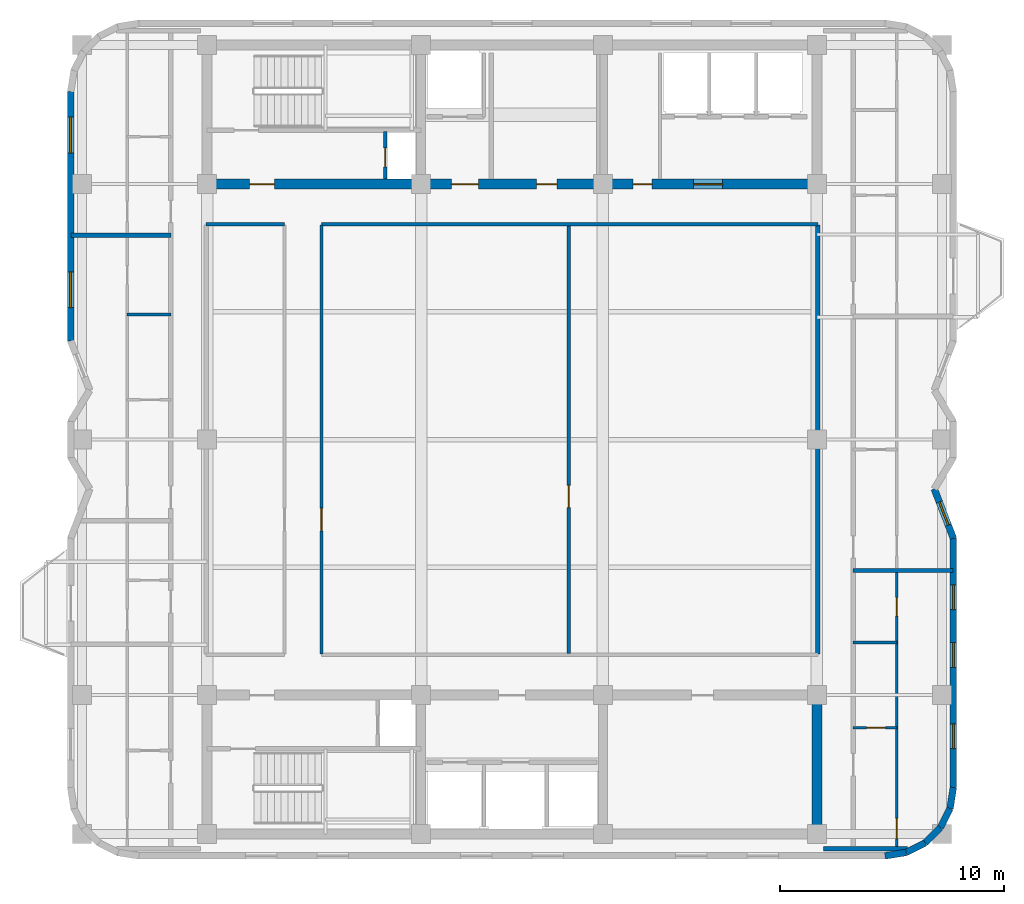
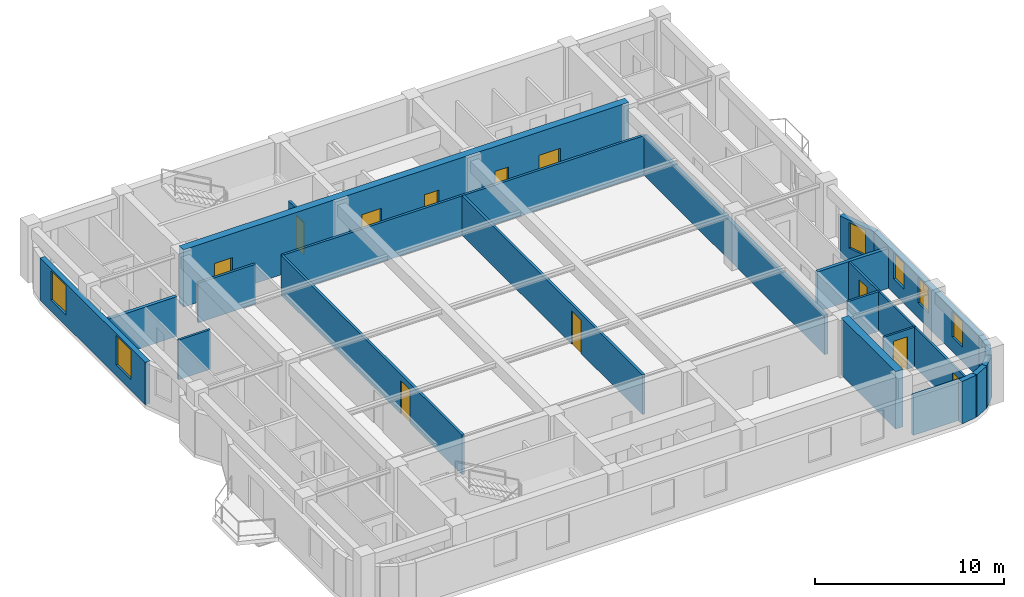
# One storey, part 4 of 8: 23 walls, 11 doors, 6 windows, 17 openings.
"""IFC4 building model written with IfcOpenShell, lengths in metres."""

from ifc_helpers import new_model, si_unit, direction, frame, frame_2d, origin, place, context, subcontext, project, spatial, rectangle, extrude, material, layer, layer_set, type_object, element, fill, save


model = new_model("IFC4")

# Units and contexts
model_context = context("Model", 3, precision=1e-05, world=origin(), true_north=direction((0.0, 1.0)))
body_context = subcontext(model_context, "Body", "Model", "MODEL_VIEW")
ifc_project = project(units=[si_unit("LENGTHUNIT", "METRE"), si_unit("AREAUNIT", "SQUARE_METRE"), si_unit("VOLUMEUNIT", "CUBIC_METRE"), si_unit("PLANEANGLEUNIT", "RADIAN"), si_unit("MASSUNIT", "GRAM", prefix="KILO")], contexts=[model_context])

# Site, building, storey
site_placement = place(None, origin())
site = spatial("IfcSite", under=ifc_project, at=site_placement, CompositionType="ELEMENT")
building_placement = place(site_placement, origin())
building = spatial("IfcBuilding", under=site, at=building_placement, Name="Svetorya Sky Lyceum", CompositionType="ELEMENT")
storey_placement = place(building_placement, frame((0.0, 0.0, 229.5)))
storey = spatial("IfcBuildingStorey", under=building, at=storey_placement, Name="L57", CompositionType="ELEMENT", Elevation=229.5)

# Wall
ifc_material_1 = material(Name="Concrete C50/60", Category="concrete")
ifc_layer_1 = layer(ifc_material_1, 0.449951171875)
ifc_layer_set_1 = layer_set([ifc_layer_1], Name="Concrete C50/60")
wall_type_1 = type_object("IfcWallType", Name="WL-CORE-450", PredefinedType="SHEAR", material=ifc_layer_set_1)
wall_1_placement = place(storey_placement, frame((52.800048828125, 10.824951171875, 0.0), z_axis=(0.0, 0.0, 1.0), x_axis=(0.0, 1.0, 0.0)))
element("IfcWall", 1, at=wall_1_placement, inside=storey, type_object=wall_type_1, Name="L57 SC East Core Shear Wall", PredefinedType="SHEAR", context=body_context, shape_type="SweptSolid", body=[
    extrude(rectangle(XDim=5.75, YDim=0.449951171875, at=frame_2d((2.875, 0.0))), origin(), (0.0, 0.0, 1.0), 3.699951171875),
])

# Wall, openings, doors
wall_2_placement = place(storey_placement, frame((52.800048828125, 39.60009765625, 0.0), z_axis=(0.0, 0.0, 1.0), x_axis=(-1.0, 0.0, 0.0)))
wall_2 = element("IfcWall", 2, at=wall_2_placement, inside=storey, type_object=wall_type_1, Name="L57 NC Inner Core Shear Wall", PredefinedType="SHEAR", context=body_context, shape_type="SweptSolid", body=[
    extrude(rectangle(XDim=27.199951171875, YDim=0.449951171875, at=frame_2d((13.60009765625, 0.0))), origin(), (0.0, 0.0, 1.0), 3.699951171875),
])
opening_1_placement = place(wall_2_placement, frame((24.199951171875, 0.0, 0.0)))
opening_1 = element("IfcOpeningElement", 3, at=opening_1_placement, cuts=wall_2, Name="Opening D-ST1", PredefinedType="OPENING", context=body_context, shape_type="SweptSolid", body=[
    extrude(rectangle(XDim=1.10009765625, YDim=2.14990234375, at=frame_2d((0.550048828125, 1.074951171875))), frame((0.0, 0.23486328125, 0.0), z_axis=(0.0, -1.0, 0.0), x_axis=(1.0, 0.0, 0.0)), (0.0, 0.0, 1.0), 0.469970703125),
])
opening_2_placement = place(wall_2_placement, frame((15.10009765625, 0.0, 0.0)))
opening_2 = element("IfcOpeningElement", 4, at=opening_2_placement, cuts=wall_2, Name="Opening D-FL1", PredefinedType="OPENING", context=body_context, shape_type="SweptSolid", body=[
    extrude(rectangle(XDim=1.199951171875, YDim=2.14990234375, at=frame_2d((0.60009765625, 1.074951171875))), frame((0.0, 0.23486328125, 0.0), z_axis=(0.0, -1.0, 0.0), x_axis=(1.0, 0.0, 0.0)), (0.0, 0.0, 1.0), 0.469970703125),
])
opening_3_placement = place(wall_2_placement, frame((11.60009765625, 0.0, 0.0)))
opening_3 = element("IfcOpeningElement", 5, at=opening_3_placement, cuts=wall_2, Name="Opening D-RM1", PredefinedType="OPENING", context=body_context, shape_type="SweptSolid", body=[
    extrude(rectangle(XDim=0.89990234375, YDim=2.10009765625, at=frame_2d((0.449951171875, 1.050048828125))), frame((0.0, 0.23486328125, 0.0), z_axis=(0.0, -1.0, 0.0), x_axis=(1.0, 0.0, 0.0)), (0.0, 0.0, 1.0), 0.469970703125),
])
opening_4_placement = place(wall_2_placement, frame((7.35009765625, 0.0, 0.0)))
opening_4 = element("IfcOpeningElement", 6, at=opening_4_placement, cuts=wall_2, Name="Opening D-CWC1", PredefinedType="OPENING", context=body_context, shape_type="SweptSolid", body=[
    extrude(rectangle(XDim=0.85009765625, YDim=2.10009765625, at=frame_2d((0.425048828125, 1.050048828125))), frame((0.0, 0.23486328125, 0.0), z_axis=(0.0, -1.0, 0.0), x_axis=(1.0, 0.0, 0.0)), (0.0, 0.0, 1.0), 0.469970703125),
])
opening_5_placement = place(wall_2_placement, frame((4.199951171875, 0.0, 0.0)))
opening_5 = element("IfcOpeningElement", 7, at=opening_5_placement, cuts=wall_2, Name="Opening D-LB1", PredefinedType="OPENING", context=body_context, shape_type="SweptSolid", body=[
    extrude(rectangle(XDim=1.300048828125, YDim=2.199951171875, at=frame_2d((0.64990234375, 1.10009765625))), frame((0.0, 0.23486328125, 0.0), z_axis=(0.0, -1.0, 0.0), x_axis=(1.0, 0.0, 0.0)), (0.0, 0.0, 1.0), 0.469970703125),
])
ifc_material_2 = material(Name="Fire-rated galvanized steel core service closet door", Category="steel")
door_type_1 = type_object("IfcDoorType", Name="DR-CWET-850", OperationType="SINGLE_SWING_LEFT", PredefinedType="DOOR", material=ifc_material_2)
door_1_placement = place(opening_4_placement, origin())
door_1 = element("IfcDoor", 8, at=door_1_placement, inside=storey, type_object=door_type_1, Name="L57 High-Zone Utility Room Door", OperationType="SINGLE_SWING_LEFT", OverallHeight=2.10009765625, OverallWidth=0.85009765625, PredefinedType="DOOR", context=body_context, shape_type="SweptSolid", body=[
    extrude(rectangle(XDim=0.85009765625, YDim=2.10009765625, at=frame_2d((0.425048828125, 1.050048828125))), frame((0.0, 0.02490234375, 0.0), z_axis=(0.0, -1.0, 0.0), x_axis=(1.0, 0.0, 0.0)), (0.0, 0.0, 1.0), 0.050048828125),
])
fill(opening_4, door_1)
ifc_material_3 = material(Name="Powder-coated insulated galvanized stair fire door")
door_type_2 = type_object("IfcDoorType", Name="DR-FIRE-1100", OperationType="SINGLE_SWING_LEFT", PredefinedType="DOOR", material=ifc_material_3)
door_2_placement = place(opening_1_placement, origin())
door_2 = element("IfcDoor", 9, at=door_2_placement, inside=storey, type_object=door_type_2, Name="L57 North Stair Airlock Door", OperationType="SINGLE_SWING_LEFT", OverallHeight=2.14990234375, OverallWidth=1.10009765625, PredefinedType="DOOR", context=body_context, shape_type="SweptSolid", body=[
    extrude(rectangle(XDim=1.10009765625, YDim=2.14990234375, at=frame_2d((0.550048828125, 1.074951171875))), frame((0.0, 0.02490234375, 0.0), z_axis=(0.0, -1.0, 0.0), x_axis=(1.0, 0.0, 0.0)), (0.0, 0.0, 1.0), 0.050048828125),
])
fill(opening_1, door_2)
ifc_material_4 = material(Name="Powder-coated insulated galvanized fire door")
door_type_3 = type_object("IfcDoorType", Name="DR-FIRE-1200", OperationType="SINGLE_SWING_LEFT", PredefinedType="DOOR", material=ifc_material_4)
door_3_placement = place(opening_2_placement, origin())
door_3 = element("IfcDoor", 10, at=door_3_placement, inside=storey, type_object=door_type_3, Name="L57 North Firefighting Lift Lobby Door", OperationType="SINGLE_SWING_RIGHT", OverallHeight=2.14990234375, OverallWidth=1.199951171875, PredefinedType="DOOR", context=body_context, shape_type="SweptSolid", body=[
    extrude(rectangle(XDim=1.199951171875, YDim=2.14990234375, at=frame_2d((0.60009765625, 1.074951171875))), frame((0.0, 0.02490234375, 0.0), z_axis=(0.0, -1.0, 0.0), x_axis=(1.0, 0.0, 0.0)), (0.0, 0.0, 1.0), 0.050048828125),
])
fill(opening_2, door_3)
ifc_material_5 = material(Name="Lacquered birch veneer internal door")
door_type_4 = type_object("IfcDoorType", Name="DR-INT-900", OperationType="SINGLE_SWING_LEFT", PredefinedType="DOOR", material=ifc_material_5)
door_4_placement = place(opening_3_placement, origin())
door_4 = element("IfcDoor", 11, at=door_4_placement, inside=storey, type_object=door_type_4, Name="L57 Upper Archive Door", OperationType="SINGLE_SWING_LEFT", OverallHeight=2.10009765625, OverallWidth=0.89990234375, PredefinedType="DOOR", context=body_context, shape_type="SweptSolid", body=[
    extrude(rectangle(XDim=0.89990234375, YDim=2.10009765625, at=frame_2d((0.449951171875, 1.050048828125))), frame((0.0, 0.02490234375, 0.0), z_axis=(0.0, -1.0, 0.0), x_axis=(1.0, 0.0, 0.0)), (0.0, 0.0, 1.0), 0.050048828125),
])
fill(opening_3, door_4)
ifc_material_6 = material(Name="Glazed fire-rated aluminium lobby door", Category="aluminium")
door_type_5 = type_object("IfcDoorType", Name="DR-LOB-1300", OperationType="SINGLE_SWING_LEFT", PredefinedType="DOOR", material=ifc_material_6)
door_5_placement = place(opening_5_placement, origin())
door_5 = element("IfcDoor", 12, at=door_5_placement, inside=storey, type_object=door_type_5, Name="L57 North Passenger Lift Lobby Door", OperationType="SINGLE_SWING_LEFT", OverallHeight=2.199951171875, OverallWidth=1.300048828125, PredefinedType="DOOR", context=body_context, shape_type="SweptSolid", body=[
    extrude(rectangle(XDim=1.300048828125, YDim=2.199951171875, at=frame_2d((0.64990234375, 1.10009765625))), frame((0.0, 0.02490234375, 0.0), z_axis=(0.0, -1.0, 0.0), x_axis=(1.0, 0.0, 0.0)), (0.0, 0.0, 1.0), 0.050048828125),
])
fill(opening_5, door_5)

# Walls
ifc_material_7 = material(Name="Putilovo limestone rainscreen on autoclaved cellular masonry", Category="masonry")
ifc_layer_2 = layer(ifc_material_7, 0.300048828125)
ifc_layer_set_2 = layer_set([ifc_layer_2], Name="Putilovo limestone rainscreen on autoclaved cellular masonry")
wall_type_2 = type_object("IfcWallType", Name="WL-EXT-300", PredefinedType="SOLIDWALL", material=ifc_layer_set_2)
wall_3_placement = place(storey_placement, frame((55.840087890625, 9.6298828125, 0.0), z_axis=(0.0, 0.0, 1.0), x_axis=(0.987663181641, 0.156593229835, 0.0)))
element("IfcWall", 13, at=wall_3_placement, inside=storey, type_object=wall_type_2, Name="L57 Limestone Exterior Wall 7M", PredefinedType="SOLIDWALL", context=body_context, shape_type="SweptSolid", body=[
    extrude(rectangle(XDim=0.9541015625, YDim=0.300048828125, at=frame_2d((0.47705078125, 0.0))), origin(), (0.0, 0.0, 1.0), 2.72998046875),
])
for number, where, z_axis, x_axis, name in (
    (14, (56.782470703125, 9.779296875, 0.0), (0.0, 0.0, 1.0), (0.891076589373, 0.453852962833, 0.0), "L57 Limestone Exterior Wall 8M"),
    (15, (57.6328125, 10.21240234375, 0.0), (0.0, 0.0, 1.0), (0.707106781187, 0.707106781187, 0.0), "L57 Limestone Exterior Wall 9M"),
    (16, (58.3076171875, 10.88720703125, 0.0), (0.0, 0.0, 1.0), (0.453852962833, 0.891076589373, 0.0), "L57 Limestone Exterior Wall 10M"),
):
    element("IfcWall", number, at=place(storey_placement, frame(where, z_axis=z_axis, x_axis=x_axis)), inside=storey, type_object=wall_type_2, Name=name, PredefinedType="SOLIDWALL", context=body_context, shape_type="SweptSolid", body=[
        extrude(rectangle(XDim=0.954345703125, YDim=0.300048828125, at=frame_2d((0.47705078125, 0.0))), origin(), (0.0, 0.0, 1.0), 2.72998046875),
    ])
wall_4_placement = place(storey_placement, frame((58.74072265625, 11.737548828125, 0.0), z_axis=(0.0, 0.0, 1.0), x_axis=(0.156343617883, 0.987702725088, 0.0)))
element("IfcWall", 17, at=wall_4_placement, inside=storey, type_object=wall_type_2, Name="L57 Limestone Exterior Wall 11M", PredefinedType="SOLIDWALL", context=body_context, shape_type="SweptSolid", body=[
    extrude(rectangle(XDim=0.9541015625, YDim=0.300048828125, at=frame_2d((0.47705078125, 0.0))), origin(), (0.0, 0.0, 1.0), 2.72998046875),
])

# Wall, openings, windows
wall_5_placement = place(storey_placement, frame((58.889892578125, 12.679931640625, 0.0), z_axis=(0.0, 0.0, 1.0), x_axis=(0.0, 1.0, 0.0)))
wall_5 = element("IfcWall", 18, at=wall_5_placement, inside=storey, type_object=wall_type_2, Name="L57 Limestone Exterior Wall 12M", PredefinedType="SOLIDWALL", context=body_context, shape_type="SweptSolid", body=[
    extrude(rectangle(XDim=11.1201171875, YDim=0.300048828125, at=frame_2d((5.56005859375, 0.0))), origin(), (0.0, 0.0, 1.0), 2.72998046875),
])
opening_6_placement = place(wall_5_placement, frame((1.73681640625, 0.0, 0.949951171875)))
opening_6 = element("IfcOpeningElement", 19, at=opening_6_placement, cuts=wall_5, Name="Opening W-R3", PredefinedType="OPENING", context=body_context, shape_type="SweptSolid", body=[
    extrude(rectangle(XDim=1.10009765625, YDim=1.64990234375, at=frame_2d((0.550048828125, 0.824951171875))), frame((0.0, 0.159912109375, 0.0), z_axis=(0.0, -1.0, 0.0), x_axis=(1.0, 0.0, 0.0)), (0.0, 0.0, 1.0), 0.320068359375),
])
opening_7_placement = place(wall_5_placement, frame((5.360107421875, 0.0, 0.949951171875)))
opening_7 = element("IfcOpeningElement", 20, at=opening_7_placement, cuts=wall_5, Name="Opening W-R3", PredefinedType="OPENING", context=body_context, shape_type="SweptSolid", body=[
    extrude(rectangle(XDim=1.10009765625, YDim=1.64990234375, at=frame_2d((0.550048828125, 0.824951171875))), frame((0.0, 0.159912109375, 0.0), z_axis=(0.0, -1.0, 0.0), x_axis=(1.0, 0.0, 0.0)), (0.0, 0.0, 1.0), 0.320068359375),
])
opening_8_placement = place(wall_5_placement, frame((7.933349609375, 0.0, 0.949951171875)))
opening_8 = element("IfcOpeningElement", 21, at=opening_8_placement, cuts=wall_5, Name="Opening W-R3", PredefinedType="OPENING", context=body_context, shape_type="SweptSolid", body=[
    extrude(rectangle(XDim=1.10009765625, YDim=1.64990234375, at=frame_2d((0.550048828125, 0.824951171875))), frame((0.0, 0.159912109375, 0.0), z_axis=(0.0, -1.0, 0.0), x_axis=(1.0, 0.0, 0.0)), (0.0, 0.0, 1.0), 0.320068359375),
])
ifc_material_8 = material(Name="Thermally broken aluminium frame with triple low-E glazing", Category="aluminium")
window_type_1 = type_object("IfcWindowType", Name="WN-RES-110", PartitioningType="SINGLE_PANEL", PredefinedType="WINDOW", material=ifc_material_8)
window_1_placement = place(opening_6_placement, origin())
window_1 = element("IfcWindow", 22, at=window_1_placement, inside=storey, type_object=window_type_1, Name="L57 Facade Window W-R3.12M.1", OverallHeight=1.64990234375, OverallWidth=1.10009765625, PartitioningType="SINGLE_PANEL", PredefinedType="WINDOW", context=body_context, shape_type="SweptSolid", body=[
    extrude(rectangle(XDim=1.10009765625, YDim=1.64990234375, at=frame_2d((0.550048828125, 0.824951171875))), frame((0.0, 0.030029296875, 0.0), z_axis=(0.0, -1.0, 0.0), x_axis=(1.0, 0.0, 0.0)), (0.0, 0.0, 1.0), 0.06005859375),
])
fill(opening_6, window_1)
window_2_placement = place(opening_7_placement, origin())
window_2 = element("IfcWindow", 23, at=window_2_placement, inside=storey, type_object=window_type_1, Name="L57 Facade Window W-R3.12M.2", OverallHeight=1.64990234375, OverallWidth=1.10009765625, PartitioningType="SINGLE_PANEL", PredefinedType="WINDOW", context=body_context, shape_type="SweptSolid", body=[
    extrude(rectangle(XDim=1.10009765625, YDim=1.64990234375, at=frame_2d((0.550048828125, 0.824951171875))), frame((0.0, 0.030029296875, 0.0), z_axis=(0.0, -1.0, 0.0), x_axis=(1.0, 0.0, 0.0)), (0.0, 0.0, 1.0), 0.06005859375),
])
fill(opening_7, window_2)
window_3_placement = place(opening_8_placement, origin())
window_3 = element("IfcWindow", 24, at=window_3_placement, inside=storey, type_object=window_type_1, Name="L57 Facade Window W-R3.12M.3", OverallHeight=1.64990234375, OverallWidth=1.10009765625, PartitioningType="SINGLE_PANEL", PredefinedType="WINDOW", context=body_context, shape_type="SweptSolid", body=[
    extrude(rectangle(XDim=1.10009765625, YDim=1.64990234375, at=frame_2d((0.550048828125, 0.824951171875))), frame((0.0, 0.030029296875, 0.0), z_axis=(0.0, -1.0, 0.0), x_axis=(1.0, 0.0, 0.0)), (0.0, 0.0, 1.0), 0.06005859375),
])
fill(opening_8, window_3)

# Wall, opening, window
wall_6_placement = place(storey_placement, frame((58.889892578125, 23.800048828125, 0.0), z_axis=(0.0, 0.0, 1.0), x_axis=(-0.360352194711, 0.932816324775, 0.0)))
wall_6 = element("IfcWall", 25, at=wall_6_placement, inside=storey, type_object=wall_type_2, Name="L57 Limestone Exterior Wall 13M", PredefinedType="SOLIDWALL", context=body_context, shape_type="SweptSolid", body=[
    extrude(rectangle(XDim=2.3583984375, YDim=0.300048828125, at=frame_2d((1.17919921875, 0.0))), origin(), (0.0, 0.0, 1.0), 2.72998046875),
])
opening_9_placement = place(wall_6_placement, frame((0.629150390625, 0.0, 0.919921875)))
opening_9 = element("IfcOpeningElement", 26, at=opening_9_placement, cuts=wall_6, Name="Opening W-R3", PredefinedType="OPENING", context=body_context, shape_type="SweptSolid", body=[
    extrude(rectangle(XDim=1.10009765625, YDim=1.64990234375, at=frame_2d((0.550048828125, 0.824951171875))), frame((0.0, 0.159912109375, 0.0), z_axis=(0.0, -1.0, 0.0), x_axis=(1.0, 0.0, 0.0)), (0.0, 0.0, 1.0), 0.320068359375),
])
window_4_placement = place(opening_9_placement, origin())
window_4 = element("IfcWindow", 27, at=window_4_placement, inside=storey, type_object=window_type_1, Name="L57 Facade Window W-R3.13M.1", OverallHeight=1.64990234375, OverallWidth=1.10009765625, PartitioningType="SINGLE_PANEL", PredefinedType="WINDOW", context=body_context, shape_type="SweptSolid", body=[
    extrude(rectangle(XDim=1.10009765625, YDim=1.64990234375, at=frame_2d((0.550048828125, 0.824951171875))), frame((0.0, 0.030029296875, 0.0), z_axis=(0.0, -1.0, 0.0), x_axis=(1.0, 0.0, 0.0)), (0.0, 0.0, 1.0), 0.06005859375),
])
fill(opening_9, window_4)

# Wall, openings, windows
wall_7_placement = place(storey_placement, frame((19.510009765625, 43.719970703125, 0.0), z_axis=(0.0, 0.0, 1.0), x_axis=(0.0, -1.0, 0.0)))
wall_7 = element("IfcWall", 28, at=wall_7_placement, inside=storey, type_object=wall_type_2, Name="L57 Limestone Exterior Wall 30M", PredefinedType="SOLIDWALL", context=body_context, shape_type="SweptSolid", body=[
    extrude(rectangle(XDim=11.119873046875, YDim=0.300048828125, at=frame_2d((5.56005859375, 0.0))), origin(), (0.0, 0.0, 1.0), 2.72998046875),
])
opening_10_placement = place(wall_7_placement, frame((1.13671875, 0.0, 0.7099609375)))
opening_10 = element("IfcOpeningElement", 29, at=opening_10_placement, cuts=wall_7, Name="Opening W-R4", PredefinedType="OPENING", context=body_context, shape_type="SweptSolid", body=[
    extrude(rectangle(XDim=1.60009765625, YDim=1.89990234375, at=frame_2d((0.800048828125, 0.949951171875))), frame((0.0, 0.159912109375, 0.0), z_axis=(0.0, -1.0, 0.0), x_axis=(1.0, 0.0, 0.0)), (0.0, 0.0, 1.0), 0.320068359375),
])
opening_11_placement = place(wall_7_placement, frame((8.033203125, 0.0, 0.7099609375)))
opening_11 = element("IfcOpeningElement", 30, at=opening_11_placement, cuts=wall_7, Name="Opening W-R4", PredefinedType="OPENING", context=body_context, shape_type="SweptSolid", body=[
    extrude(rectangle(XDim=1.60009765625, YDim=1.89990234375, at=frame_2d((0.800048828125, 0.949951171875))), frame((0.0, 0.159912109375, 0.0), z_axis=(0.0, -1.0, 0.0), x_axis=(1.0, 0.0, 0.0)), (0.0, 0.0, 1.0), 0.320068359375),
])
window_type_2 = type_object("IfcWindowType", Name="WN-RES-160", PartitioningType="DOUBLE_PANEL_VERTICAL", PredefinedType="WINDOW", material=ifc_material_8)
window_5_placement = place(opening_10_placement, origin())
window_5 = element("IfcWindow", 31, at=window_5_placement, inside=storey, type_object=window_type_2, Name="L57 Facade Window W-R4.30M.1", OverallHeight=1.89990234375, OverallWidth=1.60009765625, PartitioningType="SINGLE_PANEL", PredefinedType="WINDOW", context=body_context, shape_type="SweptSolid", body=[
    extrude(rectangle(XDim=1.60009765625, YDim=1.89990234375, at=frame_2d((0.800048828125, 0.949951171875))), frame((0.0, 0.030029296875, 0.0), z_axis=(0.0, -1.0, 0.0), x_axis=(1.0, 0.0, 0.0)), (0.0, 0.0, 1.0), 0.06005859375),
])
fill(opening_10, window_5)
window_6_placement = place(opening_11_placement, origin())
window_6 = element("IfcWindow", 32, at=window_6_placement, inside=storey, type_object=window_type_2, Name="L57 Facade Window W-R4.30M.2", OverallHeight=1.89990234375, OverallWidth=1.60009765625, PartitioningType="SINGLE_PANEL", PredefinedType="WINDOW", context=body_context, shape_type="SweptSolid", body=[
    extrude(rectangle(XDim=1.60009765625, YDim=1.89990234375, at=frame_2d((0.800048828125, 0.949951171875))), frame((0.0, 0.030029296875, 0.0), z_axis=(0.0, -1.0, 0.0), x_axis=(1.0, 0.0, 0.0)), (0.0, 0.0, 1.0), 0.06005859375),
])
fill(opening_11, window_6)

# Wall, opening, door
ifc_material_9 = material(Name="Twin-stud galvanized framing with double fireboard", Category="gypsum")
ifc_layer_3 = layer(ifc_material_9, 0.1201171875)
ifc_layer_set_3 = layer_set([ifc_layer_3], Name="Twin-stud galvanized framing with double fireboard")
wall_type_3 = type_object("IfcWallType", Name="WL-PART-120", PredefinedType="PARTITIONING", material=ifc_layer_set_3)
wall_8_placement = place(storey_placement, frame((54.419921875, 15.35009765625, 0.0), z_axis=(0.0, 0.0, 1.0), x_axis=(1.0, 0.0, 0.0)))
wall_8 = element("IfcWall", 33, at=wall_8_placement, inside=storey, type_object=wall_type_3, Name="L57 Interior Partition E1-WH1", PredefinedType="PARTITIONING", context=body_context, shape_type="SweptSolid", body=[
    extrude(rectangle(XDim=1.9501953125, YDim=0.1201171875, at=frame_2d((0.97509765625, 0.0))), origin(), (0.0, 0.0, 1.0), 2.56005859375),
])
opening_12_placement = place(wall_8_placement, frame((0.60009765625, 0.0, 0.0)))
opening_12 = element("IfcOpeningElement", 34, at=opening_12_placement, cuts=wall_8, Name="Opening D-BT1", PredefinedType="OPENING", context=body_context, shape_type="SweptSolid", body=[
    extrude(rectangle(XDim=0.85009765625, YDim=2.10009765625, at=frame_2d((0.425048828125, 1.050048828125))), frame((0.0, 0.070068359375, 0.0), z_axis=(0.0, -1.0, 0.0), x_axis=(1.0, 0.0, 0.0)), (0.0, 0.0, 1.0), 0.14013671875),
])
ifc_material_10 = material(Name="Moisture-resistant laminate bathroom door")
door_type_6 = type_object("IfcDoorType", Name="DR-WET-850", OperationType="SINGLE_SWING_LEFT", PredefinedType="DOOR", material=ifc_material_10)
door_6_placement = place(opening_12_placement, origin())
door_6 = element("IfcDoor", 35, at=door_6_placement, inside=storey, type_object=door_type_6, Name="Apartment E1 Bathroom Door", OperationType="SINGLE_SWING_RIGHT", OverallHeight=2.10009765625, OverallWidth=0.85009765625, PredefinedType="DOOR", context=body_context, shape_type="SweptSolid", body=[
    extrude(rectangle(XDim=0.85009765625, YDim=2.10009765625, at=frame_2d((0.425048828125, 1.050048828125))), frame((0.0, 0.02490234375, 0.0), z_axis=(0.0, -1.0, 0.0), x_axis=(1.0, 0.0, 0.0)), (0.0, 0.0, 1.0), 0.050048828125),
])
fill(opening_12, door_6)

# Wall, openings, doors
wall_9_placement = place(storey_placement, frame((56.3701171875, 9.989990234375, 0.0), z_axis=(0.0, 0.0, 1.0), x_axis=(0.0, 1.0, 0.0)))
wall_9 = element("IfcWall", 36, at=wall_9_placement, inside=storey, type_object=wall_type_3, Name="L57 Interior Partition E1-WV", PredefinedType="PARTITIONING", context=body_context, shape_type="SweptSolid", body=[
    extrude(rectangle(XDim=12.330078125, YDim=0.1201171875, at=frame_2d((6.1650390625, 0.0))), origin(), (0.0, 0.0, 1.0), 2.56005859375),
])
opening_13_placement = place(wall_9_placement, frame((0.409912109375, 0.0, 0.0)))
opening_13 = element("IfcOpeningElement", 37, at=opening_13_placement, cuts=wall_9, Name="Opening D-RM1", PredefinedType="OPENING", context=body_context, shape_type="SweptSolid", body=[
    extrude(rectangle(XDim=0.89990234375, YDim=2.10009765625, at=frame_2d((0.449951171875, 1.050048828125))), frame((0.0, 0.070068359375, 0.0), z_axis=(0.0, -1.0, 0.0), x_axis=(1.0, 0.0, 0.0)), (0.0, 0.0, 1.0), 0.14013671875),
])
opening_14_placement = place(wall_9_placement, frame((10.340087890625, 0.0, 0.0)))
opening_14 = element("IfcOpeningElement", 38, at=opening_14_placement, cuts=wall_9, Name="Opening D-BT2", PredefinedType="OPENING", context=body_context, shape_type="SweptSolid", body=[
    extrude(rectangle(XDim=0.820068359375, YDim=2.080078125, at=frame_2d((0.41015625, 1.0400390625))), frame((0.0, 0.070068359375, 0.0), z_axis=(0.0, -1.0, 0.0), x_axis=(1.0, 0.0, 0.0)), (0.0, 0.0, 1.0), 0.14013671875),
])
door_7_placement = place(opening_13_placement, origin())
door_7 = element("IfcDoor", 39, at=door_7_placement, inside=storey, type_object=door_type_4, Name="Apartment E1 Living Door", OperationType="SINGLE_SWING_LEFT", OverallHeight=2.10009765625, OverallWidth=0.89990234375, PredefinedType="DOOR", context=body_context, shape_type="SweptSolid", body=[
    extrude(rectangle(XDim=0.89990234375, YDim=2.10009765625, at=frame_2d((0.449951171875, 1.050048828125))), frame((0.0, 0.02490234375, 0.0), z_axis=(0.0, -1.0, 0.0), x_axis=(1.0, 0.0, 0.0)), (0.0, 0.0, 1.0), 0.050048828125),
])
fill(opening_13, door_7)
ifc_material_11 = material(Name="Compact moisture-resistant laminate closet door")
door_type_7 = type_object("IfcDoorType", Name="DR-WET-820", OperationType="SINGLE_SWING_LEFT", PredefinedType="DOOR", material=ifc_material_11)
door_8_placement = place(opening_14_placement, origin())
door_8 = element("IfcDoor", 40, at=door_8_placement, inside=storey, type_object=door_type_7, Name="Apartment E1 Study Door", OperationType="SINGLE_SWING_RIGHT", OverallHeight=2.080078125, OverallWidth=0.820068359375, PredefinedType="DOOR", context=body_context, shape_type="SweptSolid", body=[
    extrude(rectangle(XDim=0.820068359375, YDim=2.080078125, at=frame_2d((0.41015625, 1.0400390625))), frame((0.0, 0.02490234375, 0.0), z_axis=(0.0, -1.0, 0.0), x_axis=(1.0, 0.0, 0.0)), (0.0, 0.0, 1.0), 0.050048828125),
])
fill(opening_14, door_8)

# Walls
ifc_material_12 = material(Name="Twin-stud galvanized framing with acoustic board", Category="gypsum")
ifc_layer_4 = layer(ifc_material_12, 0.135009765625)
ifc_layer_set_4 = layer_set([ifc_layer_4], Name="Twin-stud galvanized framing with acoustic board")
wall_type_4 = type_object("IfcWallType", Name="WL-PART-135", PredefinedType="PARTITIONING", material=ifc_layer_set_4)
wall_10_placement = place(storey_placement, frame((22.030029296875, 33.77490234375, 0.0), z_axis=(0.0, 0.0, 1.0), x_axis=(1.0, 0.0, 0.0)))
element("IfcWall", 41, at=wall_10_placement, inside=storey, type_object=wall_type_4, Name="L57 Interior Partition W3-WH2", PredefinedType="PARTITIONING", context=body_context, shape_type="SweptSolid", body=[
    extrude(rectangle(XDim=1.949951171875, YDim=0.135009765625, at=frame_2d((0.97509765625, 0.0))), origin(), (0.0, 0.0, 1.0), 2.56005859375),
])
wall_11_placement = place(storey_placement, frame((54.419921875, 19.14990234375, 0.0), z_axis=(0.0, 0.0, 1.0), x_axis=(1.0, 0.0, 0.0)))
element("IfcWall", 42, at=wall_11_placement, inside=storey, type_object=wall_type_4, Name="L57 Interior Partition E1-WH2", PredefinedType="PARTITIONING", context=body_context, shape_type="SweptSolid", body=[
    extrude(rectangle(XDim=1.9501953125, YDim=0.135009765625, at=frame_2d((0.97509765625, 0.0))), origin(), (0.0, 0.0, 1.0), 2.56005859375),
])

# Wall, opening, door
ifc_material_13 = material(Name="Autoclaved cellular masonry blockwork with acoustic render", Category="masonry")
ifc_layer_5 = layer(ifc_material_13, 0.14990234375)
ifc_layer_set_5 = layer_set([ifc_layer_5], Name="Autoclaved cellular masonry blockwork with acoustic render")
wall_type_5 = type_object("IfcWallType", Name="WL-PART-150", PredefinedType="PARTITIONING", material=ifc_layer_set_5)
wall_12_placement = place(storey_placement, frame((33.550048828125, 39.820068359375, 0.0), z_axis=(0.0, 0.0, 1.0), x_axis=(0.0, 1.0, 0.0)))
wall_12 = element("IfcWall", 43, at=wall_12_placement, inside=storey, type_object=wall_type_5, Name="L57 Interior Partition NC-RSRW", PredefinedType="PARTITIONING", context=body_context, shape_type="SweptSolid", body=[
    extrude(rectangle(XDim=2.1298828125, YDim=0.14990234375, at=frame_2d((1.06494140625, 0.0))), origin(), (0.0, 0.0, 1.0), 2.56005859375),
])
opening_15_placement = place(wall_12_placement, frame((0.550048828125, 0.0, 0.0)))
opening_15 = element("IfcOpeningElement", 44, at=opening_15_placement, cuts=wall_12, Name="Opening D-SH1", PredefinedType="OPENING", context=body_context, shape_type="SweptSolid", body=[
    extrude(rectangle(XDim=0.85009765625, YDim=2.050048828125, at=frame_2d((0.425048828125, 1.02490234375))), frame((0.0, 0.0849609375, 0.0), z_axis=(0.0, -1.0, 0.0), x_axis=(1.0, 0.0, 0.0)), (0.0, 0.0, 1.0), 0.169921875),
])
ifc_material_14 = material(Name="Insulated galvanized riser inspection fire door")
door_type_8 = type_object("IfcDoorType", Name="DR-SHFT-850", OperationType="SINGLE_SWING_LEFT", PredefinedType="TRAPDOOR", material=ifc_material_14)
door_9_placement = place(opening_15_placement, origin())
door_9 = element("IfcDoor", 45, at=door_9_placement, inside=storey, type_object=door_type_8, Name="L57 North Riser Access Door", OperationType="SINGLE_SWING_LEFT", OverallHeight=2.050048828125, OverallWidth=0.85009765625, PredefinedType="TRAPDOOR", context=body_context, shape_type="SweptSolid", body=[
    extrude(rectangle(XDim=0.85009765625, YDim=2.050048828125, at=frame_2d((0.425048828125, 1.02490234375))), frame((0.0, 0.02490234375, 0.0), z_axis=(0.0, -1.0, 0.0), x_axis=(1.0, 0.0, 0.0)), (0.0, 0.0, 1.0), 0.050048828125),
])
fill(opening_15, door_9)

# Walls
wall_13_placement = place(storey_placement, frame((25.550048828125, 37.800048828125, 0.0), z_axis=(0.0, 0.0, 1.0), x_axis=(1.0, 0.0, 0.0)))
element("IfcWall", 46, at=wall_13_placement, inside=storey, type_object=wall_type_5, Name="L57 Interior Partition OFF-CN-W", PredefinedType="PARTITIONING", context=body_context, shape_type="SweptSolid", body=[
    extrude(rectangle(XDim=3.5, YDim=0.14990234375, at=frame_2d((1.75, 0.0))), origin(), (0.0, 0.0, 1.0), 2.56005859375),
])
wall_14_placement = place(storey_placement, frame((30.699951171875, 37.800048828125, 0.0), z_axis=(0.0, 0.0, 1.0), x_axis=(1.0, 0.0, 0.0)))
element("IfcWall", 47, at=wall_14_placement, inside=storey, type_object=wall_type_5, Name="L57 Interior Partition OFF-CN-E", PredefinedType="PARTITIONING", context=body_context, shape_type="SweptSolid", body=[
    extrude(rectangle(XDim=22.150146484375, YDim=0.14990234375, at=frame_2d((11.0751953125, 0.0))), origin(), (0.0, 0.0, 1.0), 2.56005859375),
])

# Wall, opening, door
wall_15_placement = place(storey_placement, frame((41.735107421875, 18.659912109375, 0.0), z_axis=(0.0, 0.0, 1.0), x_axis=(0.0, 1.0, 0.0)))
wall_15 = element("IfcWall", 48, at=wall_15_placement, inside=storey, type_object=wall_type_5, Name="L57 Interior Partition OFF-VEMID", PredefinedType="PARTITIONING", context=body_context, shape_type="SweptSolid", body=[
    extrude(rectangle(XDim=19.080078125, YDim=0.14990234375, at=frame_2d((9.5400390625, 0.0))), origin(), (0.0, 0.0, 1.0), 2.56005859375),
])
opening_16_placement = place(wall_15_placement, frame((6.5, 0.0, 0.0)))
opening_16 = element("IfcOpeningElement", 49, at=opening_16_placement, cuts=wall_15, Name="Opening D-RM2", PredefinedType="OPENING", context=body_context, shape_type="SweptSolid", body=[
    extrude(rectangle(XDim=1.0, YDim=2.14990234375, at=frame_2d((0.5, 1.074951171875))), frame((0.0, 0.0849609375, 0.0), z_axis=(0.0, -1.0, 0.0), x_axis=(1.0, 0.0, 0.0)), (0.0, 0.0, 1.0), 0.169921875),
])
ifc_material_15 = material(Name="Solid-core oak acoustic room door")
door_type_9 = type_object("IfcDoorType", Name="DR-INT-1000", OperationType="SINGLE_SWING_LEFT", PredefinedType="DOOR", material=ifc_material_15)
door_10_placement = place(opening_16_placement, origin())
door_10 = element("IfcDoor", 50, at=door_10_placement, inside=storey, type_object=door_type_9, Name="L57 Recreation Door", OperationType="SINGLE_SWING_LEFT", OverallHeight=2.14990234375, OverallWidth=1.0, PredefinedType="DOOR", context=body_context, shape_type="SweptSolid", body=[
    extrude(rectangle(XDim=1.0, YDim=2.14990234375, at=frame_2d((0.5, 1.074951171875))), frame((0.0, 0.02490234375, 0.0), z_axis=(0.0, -1.0, 0.0), x_axis=(1.0, 0.0, 0.0)), (0.0, 0.0, 1.0), 0.050048828125),
])
fill(opening_16, door_10)

wall_16_placement = place(storey_placement, frame((30.699951171875, 18.6298828125, 0.0), z_axis=(0.0, 0.0, 1.0), x_axis=(0.0, 1.0, 0.0)))
wall_16 = element("IfcWall", 51, at=wall_16_placement, inside=storey, type_object=wall_type_5, Name="L57 Interior Partition OFF-VE", PredefinedType="PARTITIONING", context=body_context, shape_type="SweptSolid", body=[
    extrude(rectangle(XDim=19.14013671875, YDim=0.14990234375, at=frame_2d((9.570068359375, 0.0))), origin(), (0.0, 0.0, 1.0), 2.56005859375),
])
opening_17_placement = place(wall_16_placement, frame((5.5, 0.0, 0.0)))
opening_17 = element("IfcOpeningElement", 52, at=opening_17_placement, cuts=wall_16, Name="Opening D-RM2", PredefinedType="OPENING", context=body_context, shape_type="SweptSolid", body=[
    extrude(rectangle(XDim=1.0, YDim=2.14990234375, at=frame_2d((0.5, 1.074951171875))), frame((0.0, 0.0849609375, 0.0), z_axis=(0.0, -1.0, 0.0), x_axis=(1.0, 0.0, 0.0)), (0.0, 0.0, 1.0), 0.169921875),
])
door_11_placement = place(opening_17_placement, origin())
door_11 = element("IfcDoor", 53, at=door_11_placement, inside=storey, type_object=door_type_9, Name="L57 Seminar Door", OperationType="SINGLE_SWING_RIGHT", OverallHeight=2.14990234375, OverallWidth=1.0, PredefinedType="DOOR", context=body_context, shape_type="SweptSolid", body=[
    extrude(rectangle(XDim=1.0, YDim=2.14990234375, at=frame_2d((0.5, 1.074951171875))), frame((0.0, 0.02490234375, 0.0), z_axis=(0.0, -1.0, 0.0), x_axis=(1.0, 0.0, 0.0)), (0.0, 0.0, 1.0), 0.050048828125),
])
fill(opening_17, door_11)

# Walls
ifc_material_16 = material(Name="Autoclaved cellular masonry blockwork with gypsum plaster", Category="masonry")
ifc_layer_6 = layer(ifc_material_16, 0.199951171875)
ifc_layer_set_6 = layer_set([ifc_layer_6], Name="Autoclaved cellular masonry blockwork with gypsum plaster")
wall_type_6 = type_object("IfcWallType", Name="WL-PART-200", PredefinedType="PARTITIONING", material=ifc_layer_set_6)
wall_17_placement = place(storey_placement, frame((52.85009765625, 18.6298828125, 0.0), z_axis=(0.0, 0.0, 1.0), x_axis=(0.0, 1.0, 0.0)))
element("IfcWall", 54, at=wall_17_placement, inside=storey, type_object=wall_type_6, Name="L57 Interior Partition E-CEN-SEP", PredefinedType="PARTITIONING", context=body_context, shape_type="SweptSolid", body=[
    extrude(rectangle(XDim=19.14013671875, YDim=0.199951171875, at=frame_2d((9.570068359375, 0.0))), origin(), (0.0, 0.0, 1.0), 2.56005859375),
])
wall_18_placement = place(storey_placement, frame((19.530029296875, 37.324951171875, 0.0), z_axis=(0.0, 0.0, 1.0), x_axis=(1.0, 0.0, 0.0)))
element("IfcWall", 55, at=wall_18_placement, inside=storey, type_object=wall_type_6, Name="L57 Interior Partition W-PARTY-3", PredefinedType="PARTITIONING", context=body_context, shape_type="SweptSolid", body=[
    extrude(rectangle(XDim=4.449951171875, YDim=0.199951171875, at=frame_2d((2.22509765625, 0.0))), origin(), (0.0, 0.0, 1.0), 2.56005859375),
])
wall_19_placement = place(storey_placement, frame((54.419921875, 22.360107421875, 0.0), z_axis=(0.0, 0.0, 1.0), x_axis=(1.0, 0.0, 0.0)))
element("IfcWall", 56, at=wall_19_placement, inside=storey, type_object=wall_type_6, Name="L57 Interior Partition E-PARTY-1", PredefinedType="PARTITIONING", context=body_context, shape_type="SweptSolid", body=[
    extrude(rectangle(XDim=4.4501953125, YDim=0.199951171875, at=frame_2d((2.22509765625, 0.0))), origin(), (0.0, 0.0, 1.0), 2.56005859375),
])
wall_20_placement = place(storey_placement, frame((53.10009765625, 9.949951171875, 0.0), z_axis=(0.0, 0.0, 1.0), x_axis=(1.0, 0.0, 0.0)))
element("IfcWall", 57, at=wall_20_placement, inside=storey, type_object=wall_type_6, Name="L57 Interior Partition E-CAP-S", PredefinedType="PARTITIONING", context=body_context, shape_type="SweptSolid", body=[
    extrude(rectangle(XDim=3.75390625, YDim=0.199951171875, at=frame_2d((1.876953125, 0.0))), origin(), (0.0, 0.0, 1.0), 2.56005859375),
])

save(model, "model.ifc")
